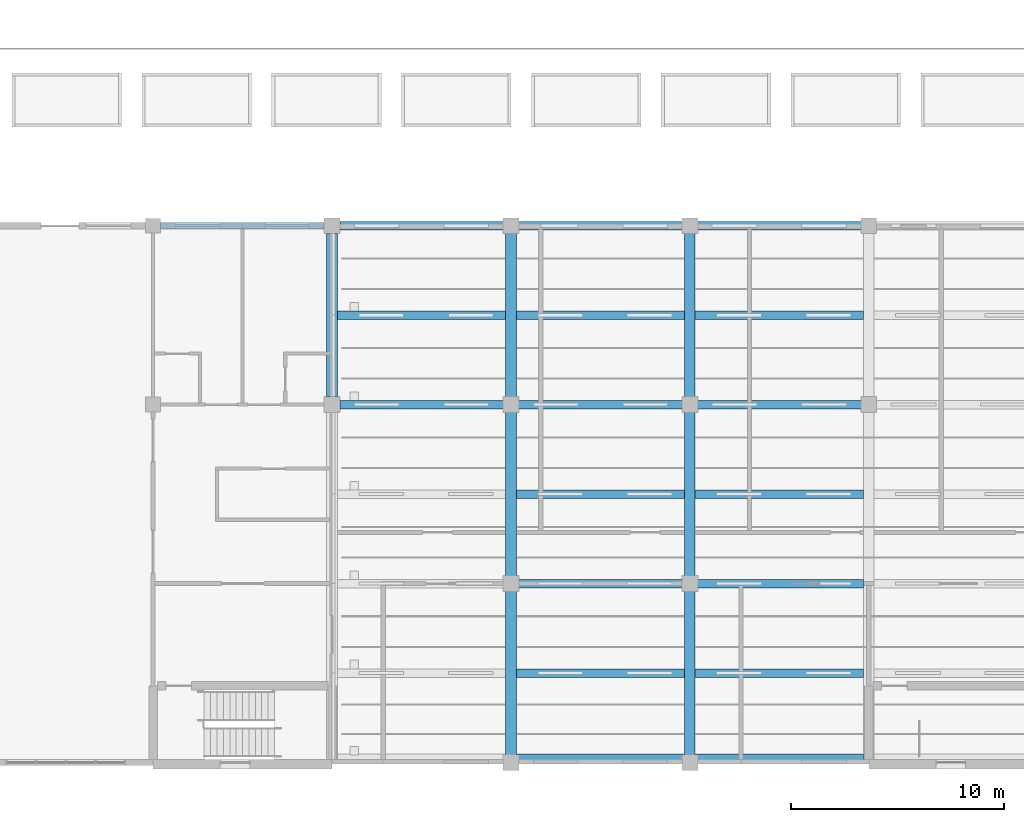
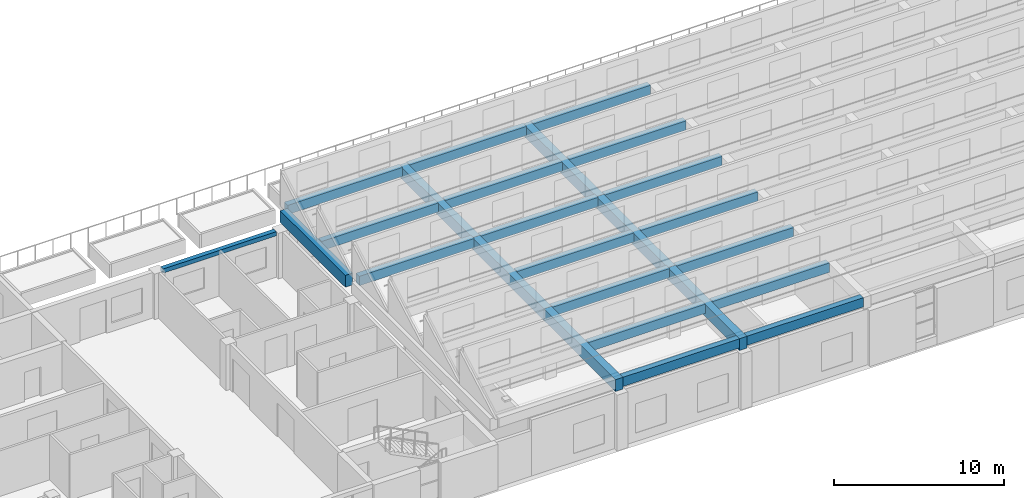
# One storey, part 5 of 61: 25 beams.
"""IFC4 building model written with IfcOpenShell, lengths in metres."""

from ifc_helpers import new_model, si_unit, direction, frame, origin, origin_2d, place, context, subcontext, project, spatial, rectangle, extrude, material, material_profile, profile_set, type_object, element, save


model = new_model("IFC4")

# Units and contexts
model_context = context("Model", 3, precision=1e-05, world=origin(), true_north=direction((0.0, 1.0)))
body_context = subcontext(model_context, "Body", "Model", "MODEL_VIEW")
ifc_project = project(units=[si_unit("LENGTHUNIT", "METRE"), si_unit("AREAUNIT", "SQUARE_METRE"), si_unit("VOLUMEUNIT", "CUBIC_METRE"), si_unit("PLANEANGLEUNIT", "RADIAN"), si_unit("MASSUNIT", "GRAM", prefix="KILO")], contexts=[model_context])

# Site, building, storey
site_placement = place(None, origin())
site = spatial("IfcSite", under=ifc_project, at=site_placement, CompositionType="ELEMENT")
building_placement = place(site_placement, origin())
building = spatial("IfcBuilding", under=site, at=building_placement, Name="Yavir Park General Hospital", CompositionType="ELEMENT")
storey_placement = place(building_placement, frame((0.0, 0.0, 15.300048828125)))
storey = spatial("IfcBuildingStorey", under=building, at=storey_placement, Name="L03", CompositionType="ELEMENT", Elevation=15.300048828125)

# Beams
ifc_material_1 = material(Name="Concrete C35/45", Category="concrete")
ifc_material_profile_1 = material_profile(ifc_material_1, rectangle(XDim=0.300048828125, YDim=0.300048828125, at=origin_2d()), Name="RC300x300")
ifc_profile_set_1 = profile_set([ifc_material_profile_1], Name="Concrete C35/45")
beam_type_1 = type_object("IfcBeamType", Name="RC BEAM 300x300 edge beam", PredefinedType="BEAM", material=ifc_profile_set_1)
beam_1_placement = place(storey_placement, frame((33.949951171875, 25.199951171875, 3.10986328125), z_axis=(1.0, 0.0, 0.0), x_axis=(0.0, 1.0, 0.0)))
element("IfcBeam", 1, at=beam_1_placement, inside=storey, type_object=beam_type_1, Name="B:EDGE:L03:011", PredefinedType="BEAM", context=body_context, shape_type="SweptSolid", body=[
    extrude(rectangle(XDim=0.300048828125, YDim=0.300048828125, at=origin_2d()), origin(), (0.0, 0.0, 1.0), 7.675048828125),
])
ifc_material_2 = material(Name="Concrete C35/45", Category="concrete")
ifc_material_profile_2 = material_profile(ifc_material_2, rectangle(XDim=0.39990234375, YDim=0.659912109375, at=origin_2d()), Name="RC400x660")
ifc_profile_set_2 = profile_set([ifc_material_profile_2], Name="Concrete C35/45")
beam_type_2 = type_object("IfcBeamType", Name="RC BEAM 400x660 sawtooth kerb beam", PredefinedType="BEAM", material=ifc_profile_set_2)
beam_2_placement = place(storey_placement, frame((50.64990234375, 0.199951171875, 4.516845703125), z_axis=(1.0, 0.0, 0.0), x_axis=(0.0, 1.0, 0.0)))
element("IfcBeam", 2, at=beam_2_placement, inside=storey, type_object=beam_type_2, Name="B:SAW:K0:1", PredefinedType="BEAM", context=body_context, shape_type="SweptSolid", body=[
    extrude(rectangle(XDim=0.39990234375, YDim=0.659912109375, at=origin_2d()), origin(), (0.0, 0.0, 1.0), 7.900146484375),
])
beam_3_placement = place(storey_placement, frame((59.050048828125, 0.199951171875, 4.516845703125), z_axis=(1.0, 0.0, 0.0), x_axis=(0.0, 1.0, 0.0)))
element("IfcBeam", 3, at=beam_3_placement, inside=storey, type_object=beam_type_2, Name="B:SAW:K0:2", PredefinedType="BEAM", context=body_context, shape_type="SweptSolid", body=[
    extrude(rectangle(XDim=0.39990234375, YDim=0.659912109375, at=origin_2d()), origin(), (0.0, 0.0, 1.0), 7.89990234375),
])
beam_4_placement = place(storey_placement, frame((50.64990234375, 4.199951171875, 4.573974609375), z_axis=(1.0, 0.0, 0.0), x_axis=(0.0, 1.0, 0.0)))
element("IfcBeam", 4, at=beam_4_placement, inside=storey, type_object=beam_type_2, Name="B:SAW:K1:1", PredefinedType="BEAM", context=body_context, shape_type="SweptSolid", body=[
    extrude(rectangle(XDim=0.39990234375, YDim=0.659912109375, at=origin_2d()), origin(), (0.0, 0.0, 1.0), 7.900146484375),
])
beam_5_placement = place(storey_placement, frame((59.050048828125, 4.199951171875, 4.573974609375), z_axis=(1.0, 0.0, 0.0), x_axis=(0.0, 1.0, 0.0)))
element("IfcBeam", 5, at=beam_5_placement, inside=storey, type_object=beam_type_2, Name="B:SAW:K1:2", PredefinedType="BEAM", context=body_context, shape_type="SweptSolid", body=[
    extrude(rectangle(XDim=0.39990234375, YDim=0.659912109375, at=origin_2d()), origin(), (0.0, 0.0, 1.0), 7.89990234375),
])
beam_6_placement = place(storey_placement, frame((50.64990234375, 8.39990234375, 4.573974609375), z_axis=(1.0, 0.0, 0.0), x_axis=(0.0, 1.0, 0.0)))
element("IfcBeam", 6, at=beam_6_placement, inside=storey, type_object=beam_type_2, Name="B:SAW:K2:1", PredefinedType="BEAM", context=body_context, shape_type="SweptSolid", body=[
    extrude(rectangle(XDim=0.39990234375, YDim=0.659912109375, at=origin_2d()), origin(), (0.0, 0.0, 1.0), 7.900146484375),
])
beam_7_placement = place(storey_placement, frame((59.050048828125, 8.39990234375, 4.573974609375), z_axis=(1.0, 0.0, 0.0), x_axis=(0.0, 1.0, 0.0)))
element("IfcBeam", 7, at=beam_7_placement, inside=storey, type_object=beam_type_2, Name="B:SAW:K2:2", PredefinedType="BEAM", context=body_context, shape_type="SweptSolid", body=[
    extrude(rectangle(XDim=0.39990234375, YDim=0.659912109375, at=origin_2d()), origin(), (0.0, 0.0, 1.0), 7.89990234375),
])
beam_8_placement = place(storey_placement, frame((50.64990234375, 12.60009765625, 4.573974609375), z_axis=(1.0, 0.0, 0.0), x_axis=(0.0, 1.0, 0.0)))
element("IfcBeam", 8, at=beam_8_placement, inside=storey, type_object=beam_type_2, Name="B:SAW:K3:1", PredefinedType="BEAM", context=body_context, shape_type="SweptSolid", body=[
    extrude(rectangle(XDim=0.39990234375, YDim=0.659912109375, at=origin_2d()), origin(), (0.0, 0.0, 1.0), 7.900146484375),
])
beam_9_placement = place(storey_placement, frame((59.050048828125, 12.60009765625, 4.573974609375), z_axis=(1.0, 0.0, 0.0), x_axis=(0.0, 1.0, 0.0)))
element("IfcBeam", 9, at=beam_9_placement, inside=storey, type_object=beam_type_2, Name="B:SAW:K3:2", PredefinedType="BEAM", context=body_context, shape_type="SweptSolid", body=[
    extrude(rectangle(XDim=0.39990234375, YDim=0.659912109375, at=origin_2d()), origin(), (0.0, 0.0, 1.0), 7.89990234375),
])
beam_10_placement = place(storey_placement, frame((42.375, 16.800048828125, 4.573974609375), z_axis=(1.0, 0.0, 0.0), x_axis=(0.0, 1.0, 0.0)))
element("IfcBeam", 10, at=beam_10_placement, inside=storey, type_object=beam_type_2, Name="B:SAW:K4:0", PredefinedType="BEAM", context=body_context, shape_type="SweptSolid", body=[
    extrude(rectangle(XDim=0.39990234375, YDim=0.659912109375, at=origin_2d()), origin(), (0.0, 0.0, 1.0), 7.77490234375),
])
beam_11_placement = place(storey_placement, frame((50.64990234375, 16.800048828125, 4.573974609375), z_axis=(1.0, 0.0, 0.0), x_axis=(0.0, 1.0, 0.0)))
element("IfcBeam", 11, at=beam_11_placement, inside=storey, type_object=beam_type_2, Name="B:SAW:K4:1", PredefinedType="BEAM", context=body_context, shape_type="SweptSolid", body=[
    extrude(rectangle(XDim=0.39990234375, YDim=0.659912109375, at=origin_2d()), origin(), (0.0, 0.0, 1.0), 7.900146484375),
])
for number, where, z_axis, x_axis, name in (
    (12, (59.050048828125, 16.800048828125, 4.573974609375), (1.0, 0.0, 0.0), (0.0, 1.0, 0.0), "B:SAW:K4:2"),
    (13, (42.25, 21.0, 4.573974609375), (1.0, 0.0, 0.0), (0.0, 1.0, 0.0), "B:SAW:K5:0"),
):
    element("IfcBeam", number, at=place(storey_placement, frame(where, z_axis=z_axis, x_axis=x_axis)), inside=storey, type_object=beam_type_2, Name=name, PredefinedType="BEAM", context=body_context, shape_type="SweptSolid", body=[
        extrude(rectangle(XDim=0.39990234375, YDim=0.659912109375, at=origin_2d()), origin(), (0.0, 0.0, 1.0), 7.89990234375),
    ])
beam_12_placement = place(storey_placement, frame((50.64990234375, 21.0, 4.573974609375), z_axis=(1.0, 0.0, 0.0), x_axis=(0.0, 1.0, 0.0)))
element("IfcBeam", 14, at=beam_12_placement, inside=storey, type_object=beam_type_2, Name="B:SAW:K5:1", PredefinedType="BEAM", context=body_context, shape_type="SweptSolid", body=[
    extrude(rectangle(XDim=0.39990234375, YDim=0.659912109375, at=origin_2d()), origin(), (0.0, 0.0, 1.0), 7.900146484375),
])
beam_13_placement = place(storey_placement, frame((59.050048828125, 21.0, 4.573974609375), z_axis=(1.0, 0.0, 0.0), x_axis=(0.0, 1.0, 0.0)))
element("IfcBeam", 15, at=beam_13_placement, inside=storey, type_object=beam_type_2, Name="B:SAW:K5:2", PredefinedType="BEAM", context=body_context, shape_type="SweptSolid", body=[
    extrude(rectangle(XDim=0.39990234375, YDim=0.659912109375, at=origin_2d()), origin(), (0.0, 0.0, 1.0), 7.89990234375),
])
beam_14_placement = place(storey_placement, frame((42.375, 25.199951171875, 4.573974609375), z_axis=(1.0, 0.0, 0.0), x_axis=(0.0, 1.0, 0.0)))
element("IfcBeam", 16, at=beam_14_placement, inside=storey, type_object=beam_type_2, Name="B:SAW:K6:0", PredefinedType="BEAM", context=body_context, shape_type="SweptSolid", body=[
    extrude(rectangle(XDim=0.39990234375, YDim=0.659912109375, at=origin_2d()), origin(), (0.0, 0.0, 1.0), 7.77490234375),
])
beam_15_placement = place(storey_placement, frame((50.64990234375, 25.199951171875, 4.573974609375), z_axis=(1.0, 0.0, 0.0), x_axis=(0.0, 1.0, 0.0)))
element("IfcBeam", 17, at=beam_15_placement, inside=storey, type_object=beam_type_2, Name="B:SAW:K6:1", PredefinedType="BEAM", context=body_context, shape_type="SweptSolid", body=[
    extrude(rectangle(XDim=0.39990234375, YDim=0.659912109375, at=origin_2d()), origin(), (0.0, 0.0, 1.0), 7.900146484375),
])
beam_16_placement = place(storey_placement, frame((59.050048828125, 25.199951171875, 4.573974609375), z_axis=(1.0, 0.0, 0.0), x_axis=(0.0, 1.0, 0.0)))
element("IfcBeam", 18, at=beam_16_placement, inside=storey, type_object=beam_type_2, Name="B:SAW:K6:2", PredefinedType="BEAM", context=body_context, shape_type="SweptSolid", body=[
    extrude(rectangle(XDim=0.39990234375, YDim=0.659912109375, at=origin_2d()), origin(), (0.0, 0.0, 1.0), 7.89990234375),
])
ifc_material_3 = material(Name="Concrete C35/45", Category="concrete")
ifc_material_profile_3 = material_profile(ifc_material_3, rectangle(XDim=0.5, YDim=0.846923828125, at=origin_2d()), Name="RC500x847")
ifc_profile_set_3 = profile_set([ifc_material_profile_3], Name="Concrete C35/45")
beam_type_3 = type_object("IfcBeamType", Name="RC BEAM 500x847 sawtooth girder", PredefinedType="BEAM", material=ifc_profile_set_3)
beam_17_placement = place(storey_placement, frame((42.0, 17.175048828125, 4.42333984375), z_axis=(0.0, 1.0, 0.0), x_axis=(-1.0, 0.0, 0.0)))
element("IfcBeam", 19, at=beam_17_placement, inside=storey, type_object=beam_type_3, Name="B:SAW:G0:1", PredefinedType="BEAM", context=body_context, shape_type="SweptSolid", body=[
    extrude(rectangle(XDim=0.5, YDim=0.846923828125, at=origin_2d()), origin(), (0.0, 0.0, 1.0), 7.64990234375),
])
beam_18_placement = place(storey_placement, frame((50.39990234375, 0.0, 4.42333984375), z_axis=(0.0, 1.0, 0.0), x_axis=(-1.0, 0.0, 0.0)))
element("IfcBeam", 20, at=beam_18_placement, inside=storey, type_object=beam_type_3, Name="B:SAW:G1:0", PredefinedType="BEAM", context=body_context, shape_type="SweptSolid", body=[
    extrude(rectangle(XDim=0.5, YDim=0.846923828125, at=origin_2d()), origin(), (0.0, 0.0, 1.0), 8.39990234375),
])
beam_19_placement = place(storey_placement, frame((50.39990234375, 8.39990234375, 4.42333984375), z_axis=(0.0, 1.0, 0.0), x_axis=(-1.0, 0.0, 0.0)))
element("IfcBeam", 21, at=beam_19_placement, inside=storey, type_object=beam_type_3, Name="B:SAW:G1:1", PredefinedType="BEAM", context=body_context, shape_type="SweptSolid", body=[
    extrude(rectangle(XDim=0.5, YDim=0.846923828125, at=origin_2d()), origin(), (0.0, 0.0, 1.0), 8.400146484375),
])
beam_20_placement = place(storey_placement, frame((50.39990234375, 16.800048828125, 4.42333984375), z_axis=(0.0, 1.0, 0.0), x_axis=(-1.0, 0.0, 0.0)))
element("IfcBeam", 22, at=beam_20_placement, inside=storey, type_object=beam_type_3, Name="B:SAW:G1:2", PredefinedType="BEAM", context=body_context, shape_type="SweptSolid", body=[
    extrude(rectangle(XDim=0.5, YDim=0.846923828125, at=origin_2d()), origin(), (0.0, 0.0, 1.0), 8.599853515625),
])
beam_21_placement = place(storey_placement, frame((58.800048828125, 0.0, 4.42333984375), z_axis=(0.0, 1.0, 0.0), x_axis=(-1.0, 0.0, 0.0)))
element("IfcBeam", 23, at=beam_21_placement, inside=storey, type_object=beam_type_3, Name="B:SAW:G2:0", PredefinedType="BEAM", context=body_context, shape_type="SweptSolid", body=[
    extrude(rectangle(XDim=0.5, YDim=0.846923828125, at=origin_2d()), origin(), (0.0, 0.0, 1.0), 8.39990234375),
])
beam_22_placement = place(storey_placement, frame((58.800048828125, 8.39990234375, 4.42333984375), z_axis=(0.0, 1.0, 0.0), x_axis=(-1.0, 0.0, 0.0)))
element("IfcBeam", 24, at=beam_22_placement, inside=storey, type_object=beam_type_3, Name="B:SAW:G2:1", PredefinedType="BEAM", context=body_context, shape_type="SweptSolid", body=[
    extrude(rectangle(XDim=0.5, YDim=0.846923828125, at=origin_2d()), origin(), (0.0, 0.0, 1.0), 8.400146484375),
])
beam_23_placement = place(storey_placement, frame((58.800048828125, 16.800048828125, 4.42333984375), z_axis=(0.0, 1.0, 0.0), x_axis=(-1.0, 0.0, 0.0)))
element("IfcBeam", 25, at=beam_23_placement, inside=storey, type_object=beam_type_3, Name="B:SAW:G2:2", PredefinedType="BEAM", context=body_context, shape_type="SweptSolid", body=[
    extrude(rectangle(XDim=0.5, YDim=0.846923828125, at=origin_2d()), origin(), (0.0, 0.0, 1.0), 8.599853515625),
])

save(model, "model.ifc")
